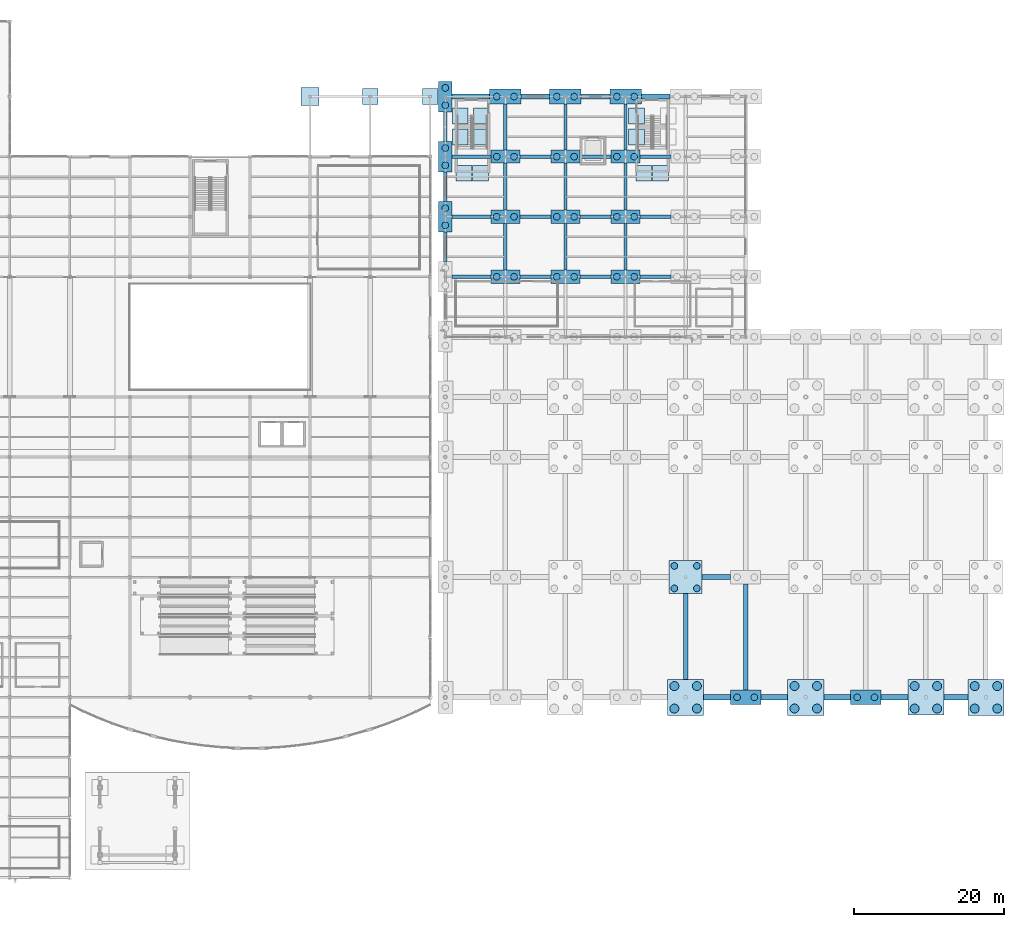
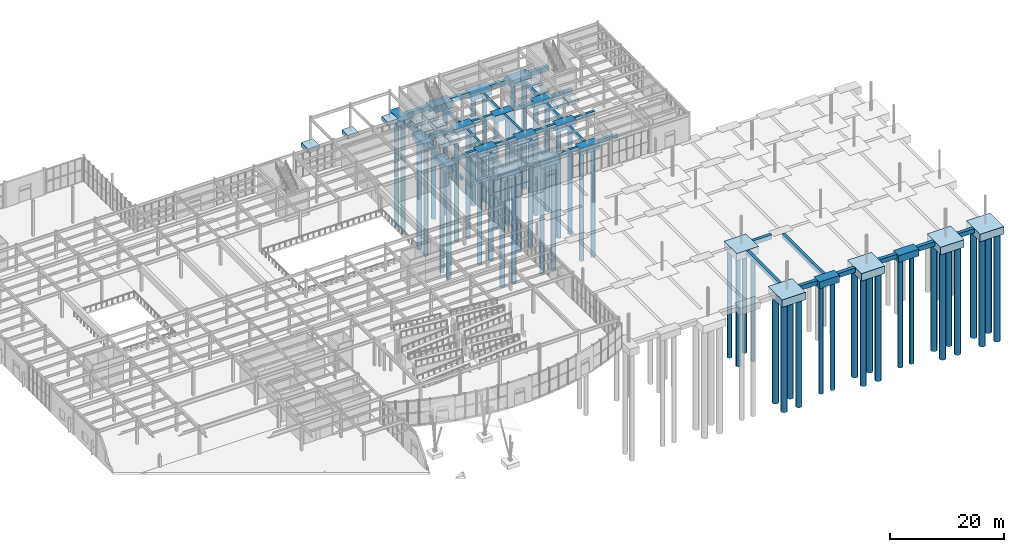
# One storey, part 2 of 82: 71 footings, 54 piles.
"""IFC4 building model written with IfcOpenShell, lengths in metres."""

from ifc_helpers import new_model, si_unit, direction, frame, origin, origin_2d, place, context, subcontext, project, spatial, rectangle, circle, extrude, material, material_profile, profile_set, type_object, element, save


model = new_model("IFC4")

# Units and contexts
model_context = context("Model", 3, precision=1e-05, world=origin(), true_north=direction((0.0, 1.0)))
body_context = subcontext(model_context, "Body", "Model", "MODEL_VIEW")
ifc_project = project(units=[si_unit("LENGTHUNIT", "METRE"), si_unit("AREAUNIT", "SQUARE_METRE"), si_unit("VOLUMEUNIT", "CUBIC_METRE"), si_unit("PLANEANGLEUNIT", "RADIAN"), si_unit("MASSUNIT", "GRAM", prefix="KILO")], contexts=[model_context])

# Site, building, storey
site_placement = place(None, origin())
site = spatial("IfcSite", under=ifc_project, at=site_placement, CompositionType="ELEMENT")
building_placement = place(site_placement, origin())
building = spatial("IfcBuilding", under=site, at=building_placement, Name="Drelvath Fold Interchange", CompositionType="ELEMENT")
storey_placement = place(building_placement, origin())
storey = spatial("IfcBuildingStorey", under=building, at=storey_placement, Name="L00", CompositionType="ELEMENT", Elevation=0.0)

# Piles
ifc_material_1 = material(Name="Concrete f'c 55 MPa (8000 psi)", Category="concrete")
ifc_material_profile_1 = material_profile(ifc_material_1, circle(Radius=0.60009765625, at=origin_2d()), Name="CAISSON D1200")
ifc_profile_set_1 = profile_set([ifc_material_profile_1], Name="Concrete f'c 55 MPa (8000 psi)")
pile_type_1 = type_object("IfcPileType", Name="CA-D1200", PredefinedType="BORED", material=ifc_profile_set_1)
for number, where, z_axis, x_axis, name in (
    (1, (132.5, 25.5, -1.5), (0.0, 0.0, -1.0), (1.0, 0.0, 0.0), "L00 rock-socketed caisson PL-L00-244"),
    (2, (135.5, 25.5, -1.5), (0.0, 0.0, -1.0), (1.0, 0.0, 0.0), "L00 rock-socketed caisson PL-L00-245"),
    (3, (135.5, 28.5, -1.5), (0.0, 0.0, -1.0), (1.0, 0.0, 0.0), "L00 rock-socketed caisson PL-L00-246"),
    (4, (132.5, 28.5, -1.5), (0.0, 0.0, -1.0), (1.0, 0.0, 0.0), "L00 rock-socketed caisson PL-L00-247"),
    (5, (148.5, 25.5, -1.5), (0.0, 0.0, -1.0), (1.0, 0.0, 0.0), "L00 rock-socketed caisson PL-L00-288"),
    (6, (151.5, 25.5, -1.5), (0.0, 0.0, -1.0), (1.0, 0.0, 0.0), "L00 rock-socketed caisson PL-L00-289"),
    (7, (151.5, 28.5, -1.5), (0.0, 0.0, -1.0), (1.0, 0.0, 0.0), "L00 rock-socketed caisson PL-L00-290"),
    (8, (148.5, 28.5, -1.5), (0.0, 0.0, -1.0), (1.0, 0.0, 0.0), "L00 rock-socketed caisson PL-L00-291"),
):
    element("IfcPile", number, at=place(storey_placement, frame(where, z_axis=z_axis, x_axis=x_axis)), inside=storey, type_object=pile_type_1, Name=name, PredefinedType="BORED", context=body_context, shape_type="SweptSolid", body=[
        extrude(circle(Radius=0.60009765625, at=origin_2d()), origin(), (0.0, 0.0, 1.0), 23.0),
    ])
for number, where, z_axis, x_axis, name in (
    (9, (164.5, 25.5, -1.52001953125), (0.0, 0.0, -1.0), (1.0, 0.0, 0.0), "L00 rock-socketed caisson PL-L00-316"),
    (10, (167.5, 25.5, -1.52001953125), (0.0, 0.0, -1.0), (1.0, 0.0, 0.0), "L00 rock-socketed caisson PL-L00-317"),
    (11, (167.5, 28.5, -1.52001953125), (0.0, 0.0, -1.0), (1.0, 0.0, 0.0), "L00 rock-socketed caisson PL-L00-318"),
    (12, (164.5, 28.5, -1.52001953125), (0.0, 0.0, -1.0), (1.0, 0.0, 0.0), "L00 rock-socketed caisson PL-L00-319"),
):
    element("IfcPile", number, at=place(storey_placement, frame(where, z_axis=z_axis, x_axis=x_axis)), inside=storey, type_object=pile_type_1, Name=name, PredefinedType="BORED", context=body_context, shape_type="SweptSolid", body=[
        extrude(circle(Radius=0.60009765625, at=origin_2d()), origin(), (0.0, 0.0, 1.0), 22.97998046875),
    ])
for number, where, z_axis, x_axis, name in (
    (13, (172.5, 25.5, -1.5), (0.0, 0.0, -1.0), (1.0, 0.0, 0.0), "L00 rock-socketed caisson PL-L00-334"),
    (14, (175.5, 25.5, -1.5), (0.0, 0.0, -1.0), (1.0, 0.0, 0.0), "L00 rock-socketed caisson PL-L00-335"),
    (15, (175.5, 28.5, -1.5), (0.0, 0.0, -1.0), (1.0, 0.0, 0.0), "L00 rock-socketed caisson PL-L00-336"),
    (16, (172.5, 28.5, -1.5), (0.0, 0.0, -1.0), (1.0, 0.0, 0.0), "L00 rock-socketed caisson PL-L00-337"),
):
    element("IfcPile", number, at=place(storey_placement, frame(where, z_axis=z_axis, x_axis=x_axis)), inside=storey, type_object=pile_type_1, Name=name, PredefinedType="BORED", context=body_context, shape_type="SweptSolid", body=[
        extrude(circle(Radius=0.60009765625, at=origin_2d()), origin(), (0.0, 0.0, 1.0), 23.0),
    ])
ifc_material_profile_2 = material_profile(ifc_material_1, circle(Radius=0.449951171875, at=origin_2d()), Name="CAISSON D900")
ifc_profile_set_2 = profile_set([ifc_material_profile_2], Name="Concrete f'c 55 MPa (8000 psi)")
pile_type_2 = type_object("IfcPileType", Name="CA-D900", PredefinedType="BORED", material=ifc_profile_set_2)
for number, where, z_axis, x_axis, name in (
    (17, (102.0, 89.85009765625, -1.3798828125), (0.0, 0.0, -1.0), (1.0, 0.0, 0.0), "L00 rock-socketed caisson PL-L00-176"),
    (18, (102.0, 92.14990234375, -1.3798828125), (0.0, 0.0, -1.0), (1.0, 0.0, 0.0), "L00 rock-socketed caisson PL-L00-177"),
    (19, (102.0, 97.85009765625, -1.3798828125), (0.0, 0.0, -1.0), (1.0, 0.0, 0.0), "L00 rock-socketed caisson PL-L00-178"),
    (20, (102.0, 100.14990234375, -1.3798828125), (0.0, 0.0, -1.0), (1.0, 0.0, 0.0), "L00 rock-socketed caisson PL-L00-179"),
    (21, (102.0, 105.85009765625, -1.3798828125), (0.0, 0.0, -1.0), (1.0, 0.0, 0.0), "L00 rock-socketed caisson PL-L00-180"),
    (22, (102.0, 108.14990234375, -1.3798828125), (0.0, 0.0, -1.0), (1.0, 0.0, 0.0), "L00 rock-socketed caisson PL-L00-181"),
):
    element("IfcPile", number, at=place(storey_placement, frame(where, z_axis=z_axis, x_axis=x_axis)), inside=storey, type_object=pile_type_2, Name=name, PredefinedType="BORED", context=body_context, shape_type="SweptSolid", body=[
        extrude(circle(Radius=0.449951171875, at=origin_2d()), origin(), (0.0, 0.0, 1.0), 23.1201171875),
    ])
for number, where, z_axis, x_axis, name in (
    (23, (108.85009765625, 83.0, -1.340087890625), (0.0, 0.0, -1.0), (1.0, 0.0, 0.0), "L00 rock-socketed caisson PL-L00-192"),
    (24, (111.14990234375, 83.0, -1.340087890625), (0.0, 0.0, -1.0), (1.0, 0.0, 0.0), "L00 rock-socketed caisson PL-L00-193"),
    (25, (108.85009765625, 91.0, -1.340087890625), (0.0, 0.0, -1.0), (1.0, 0.0, 0.0), "L00 rock-socketed caisson PL-L00-194"),
    (26, (111.14990234375, 91.0, -1.340087890625), (0.0, 0.0, -1.0), (1.0, 0.0, 0.0), "L00 rock-socketed caisson PL-L00-195"),
    (27, (108.85009765625, 99.0, -1.340087890625), (0.0, 0.0, -1.0), (1.0, 0.0, 0.0), "L00 rock-socketed caisson PL-L00-196"),
    (28, (111.14990234375, 99.0, -1.340087890625), (0.0, 0.0, -1.0), (1.0, 0.0, 0.0), "L00 rock-socketed caisson PL-L00-197"),
):
    element("IfcPile", number, at=place(storey_placement, frame(where, z_axis=z_axis, x_axis=x_axis)), inside=storey, type_object=pile_type_2, Name=name, PredefinedType="BORED", context=body_context, shape_type="SweptSolid", body=[
        extrude(circle(Radius=0.449951171875, at=origin_2d()), origin(), (0.0, 0.0, 1.0), 23.159912109375),
    ])
for number, where, z_axis, x_axis, name in (
    (29, (108.85009765625, 107.0, -1.419921875), (0.0, 0.0, -1.0), (1.0, 0.0, 0.0), "L00 rock-socketed caisson PL-L00-198"),
    (30, (111.14990234375, 107.0, -1.419921875), (0.0, 0.0, -1.0), (1.0, 0.0, 0.0), "L00 rock-socketed caisson PL-L00-199"),
):
    element("IfcPile", number, at=place(storey_placement, frame(where, z_axis=z_axis, x_axis=x_axis)), inside=storey, type_object=pile_type_2, Name=name, PredefinedType="BORED", context=body_context, shape_type="SweptSolid", body=[
        extrude(circle(Radius=0.449951171875, at=origin_2d()), origin(), (0.0, 0.0, 1.0), 23.080078125),
    ])
for number, where, z_axis, x_axis, name in (
    (31, (116.85009765625, 83.0, -1.340087890625), (0.0, 0.0, -1.0), (1.0, 0.0, 0.0), "L00 rock-socketed caisson PL-L00-218"),
    (32, (119.14990234375, 83.0, -1.340087890625), (0.0, 0.0, -1.0), (1.0, 0.0, 0.0), "L00 rock-socketed caisson PL-L00-219"),
    (33, (116.85009765625, 91.0, -1.340087890625), (0.0, 0.0, -1.0), (1.0, 0.0, 0.0), "L00 rock-socketed caisson PL-L00-220"),
    (34, (119.14990234375, 91.0, -1.340087890625), (0.0, 0.0, -1.0), (1.0, 0.0, 0.0), "L00 rock-socketed caisson PL-L00-221"),
    (35, (116.85009765625, 99.0, -1.340087890625), (0.0, 0.0, -1.0), (1.0, 0.0, 0.0), "L00 rock-socketed caisson PL-L00-222"),
    (36, (119.14990234375, 99.0, -1.340087890625), (0.0, 0.0, -1.0), (1.0, 0.0, 0.0), "L00 rock-socketed caisson PL-L00-223"),
):
    element("IfcPile", number, at=place(storey_placement, frame(where, z_axis=z_axis, x_axis=x_axis)), inside=storey, type_object=pile_type_2, Name=name, PredefinedType="BORED", context=body_context, shape_type="SweptSolid", body=[
        extrude(circle(Radius=0.449951171875, at=origin_2d()), origin(), (0.0, 0.0, 1.0), 23.159912109375),
    ])
for number, where, z_axis, x_axis, name in (
    (37, (116.85009765625, 107.0, -1.419921875), (0.0, 0.0, -1.0), (1.0, 0.0, 0.0), "L00 rock-socketed caisson PL-L00-224"),
    (38, (119.14990234375, 107.0, -1.419921875), (0.0, 0.0, -1.0), (1.0, 0.0, 0.0), "L00 rock-socketed caisson PL-L00-225"),
):
    element("IfcPile", number, at=place(storey_placement, frame(where, z_axis=z_axis, x_axis=x_axis)), inside=storey, type_object=pile_type_2, Name=name, PredefinedType="BORED", context=body_context, shape_type="SweptSolid", body=[
        extrude(circle(Radius=0.449951171875, at=origin_2d()), origin(), (0.0, 0.0, 1.0), 23.080078125),
    ])
for number, where, z_axis, x_axis, name in (
    (39, (124.85009765625, 83.0, -1.340087890625), (0.0, 0.0, -1.0), (1.0, 0.0, 0.0), "L00 rock-socketed caisson PL-L00-236"),
    (40, (127.14990234375, 83.0, -1.340087890625), (0.0, 0.0, -1.0), (1.0, 0.0, 0.0), "L00 rock-socketed caisson PL-L00-237"),
    (41, (124.85009765625, 91.0, -1.340087890625), (0.0, 0.0, -1.0), (1.0, 0.0, 0.0), "L00 rock-socketed caisson PL-L00-238"),
    (42, (127.14990234375, 91.0, -1.340087890625), (0.0, 0.0, -1.0), (1.0, 0.0, 0.0), "L00 rock-socketed caisson PL-L00-239"),
    (43, (124.85009765625, 99.0, -1.340087890625), (0.0, 0.0, -1.0), (1.0, 0.0, 0.0), "L00 rock-socketed caisson PL-L00-240"),
    (44, (127.14990234375, 99.0, -1.340087890625), (0.0, 0.0, -1.0), (1.0, 0.0, 0.0), "L00 rock-socketed caisson PL-L00-241"),
):
    element("IfcPile", number, at=place(storey_placement, frame(where, z_axis=z_axis, x_axis=x_axis)), inside=storey, type_object=pile_type_2, Name=name, PredefinedType="BORED", context=body_context, shape_type="SweptSolid", body=[
        extrude(circle(Radius=0.449951171875, at=origin_2d()), origin(), (0.0, 0.0, 1.0), 23.159912109375),
    ])
for number, where, z_axis, x_axis, name in (
    (45, (124.85009765625, 107.0, -1.419921875), (0.0, 0.0, -1.0), (1.0, 0.0, 0.0), "L00 rock-socketed caisson PL-L00-242"),
    (46, (127.14990234375, 107.0, -1.419921875), (0.0, 0.0, -1.0), (1.0, 0.0, 0.0), "L00 rock-socketed caisson PL-L00-243"),
):
    element("IfcPile", number, at=place(storey_placement, frame(where, z_axis=z_axis, x_axis=x_axis)), inside=storey, type_object=pile_type_2, Name=name, PredefinedType="BORED", context=body_context, shape_type="SweptSolid", body=[
        extrude(circle(Radius=0.449951171875, at=origin_2d()), origin(), (0.0, 0.0, 1.0), 23.080078125),
    ])
for number, where, z_axis, x_axis, name in (
    (47, (132.5, 41.5, -1.4599609375), (0.0, 0.0, -1.0), (1.0, 0.0, 0.0), "L00 rock-socketed caisson PL-L00-248"),
    (48, (135.5, 41.5, -1.4599609375), (0.0, 0.0, -1.0), (1.0, 0.0, 0.0), "L00 rock-socketed caisson PL-L00-249"),
    (49, (135.5, 44.5, -1.4599609375), (0.0, 0.0, -1.0), (1.0, 0.0, 0.0), "L00 rock-socketed caisson PL-L00-250"),
    (50, (132.5, 44.5, -1.4599609375), (0.0, 0.0, -1.0), (1.0, 0.0, 0.0), "L00 rock-socketed caisson PL-L00-251"),
):
    element("IfcPile", number, at=place(storey_placement, frame(where, z_axis=z_axis, x_axis=x_axis)), inside=storey, type_object=pile_type_2, Name=name, PredefinedType="BORED", context=body_context, shape_type="SweptSolid", body=[
        extrude(circle(Radius=0.449951171875, at=origin_2d()), origin(), (0.0, 0.0, 1.0), 23.0400390625),
    ])
for number, where, z_axis, x_axis, name in (
    (51, (140.85009765625, 27.0, -1.360107421875), (0.0, 0.0, -1.0), (1.0, 0.0, 0.0), "L00 rock-socketed caisson PL-L00-270"),
    (52, (143.14990234375, 27.0, -1.360107421875), (0.0, 0.0, -1.0), (1.0, 0.0, 0.0), "L00 rock-socketed caisson PL-L00-271"),
    (53, (156.85009765625, 27.0, -1.360107421875), (0.0, 0.0, -1.0), (1.0, 0.0, 0.0), "L00 rock-socketed caisson PL-L00-306"),
    (54, (159.14990234375, 27.0, -1.360107421875), (0.0, 0.0, -1.0), (1.0, 0.0, 0.0), "L00 rock-socketed caisson PL-L00-307"),
):
    element("IfcPile", number, at=place(storey_placement, frame(where, z_axis=z_axis, x_axis=x_axis)), inside=storey, type_object=pile_type_2, Name=name, PredefinedType="BORED", context=body_context, shape_type="SweptSolid", body=[
        extrude(circle(Radius=0.449951171875, at=origin_2d()), origin(), (0.0, 0.0, 1.0), 23.139892578125),
    ])

# Footings
ifc_material_2 = material(Name="Concrete f'c 45 MPa (6500 psi)", Category="concrete")
footing_type_1 = type_object("IfcFootingType", Name="GB-450x740", PredefinedType="FOOTING_BEAM", material=ifc_material_2)
for number, where, z_axis, x_axis, name in (
    (55, (102.0, 87.0, -0.740234375), (0.0, 0.0, 1.0), (1.0, 0.0, 0.0), "Continuous grade beam FT-GBY-071"),
    (56, (102.0, 95.0, -0.740234375), (0.0, 0.0, 1.0), (1.0, 0.0, 0.0), "Continuous grade beam FT-GBY-072"),
    (57, (102.0, 103.0, -0.740234375), (0.0, 0.0, 1.0), (1.0, 0.0, 0.0), "Continuous grade beam FT-GBY-073"),
):
    element("IfcFooting", number, at=place(storey_placement, frame(where, z_axis=z_axis, x_axis=x_axis)), inside=storey, type_object=footing_type_1, Name=name, PredefinedType="FOOTING_BEAM", context=body_context, shape_type="SweptSolid", body=[
        extrude(rectangle(XDim=0.449951171875, YDim=3.949951171875, at=origin_2d()), origin(), (0.0, 0.0, 1.0), 0.739990234375),
    ])
for number, where, z_axis, x_axis, name in (
    (58, (110.0, 87.0, -0.740234375), (0.0, 0.0, 1.0), (1.0, 0.0, 0.0), "Continuous grade beam FT-GBY-079"),
    (59, (110.0, 95.0, -0.740234375), (0.0, 0.0, 1.0), (1.0, 0.0, 0.0), "Continuous grade beam FT-GBY-080"),
):
    element("IfcFooting", number, at=place(storey_placement, frame(where, z_axis=z_axis, x_axis=x_axis)), inside=storey, type_object=footing_type_1, Name=name, PredefinedType="FOOTING_BEAM", context=body_context, shape_type="SweptSolid", body=[
        extrude(rectangle(XDim=0.449951171875, YDim=6.25, at=origin_2d()), origin(), (0.0, 0.0, 1.0), 0.739990234375),
    ])
footing_1_placement = place(storey_placement, frame((110.0, 102.93798828125, -0.740234375), z_axis=(0.0, 0.0, 1.0), x_axis=(1.0, 0.0, 0.0)))
element("IfcFooting", 60, at=footing_1_placement, inside=storey, type_object=footing_type_1, Name="Continuous grade beam FT-GBY-081", PredefinedType="FOOTING_BEAM", context=body_context, shape_type="SweptSolid", body=[
    extrude(rectangle(XDim=0.449951171875, YDim=6.125, at=origin_2d()), origin(), (0.0, 0.0, 1.0), 0.739990234375),
])
for number, where, z_axis, x_axis, name in (
    (61, (118.0, 87.0, -0.740234375), (0.0, 0.0, 1.0), (1.0, 0.0, 0.0), "Continuous grade beam FT-GBY-087"),
    (62, (118.0, 95.0, -0.740234375), (0.0, 0.0, 1.0), (1.0, 0.0, 0.0), "Continuous grade beam FT-GBY-088"),
):
    element("IfcFooting", number, at=place(storey_placement, frame(where, z_axis=z_axis, x_axis=x_axis)), inside=storey, type_object=footing_type_1, Name=name, PredefinedType="FOOTING_BEAM", context=body_context, shape_type="SweptSolid", body=[
        extrude(rectangle(XDim=0.449951171875, YDim=6.25, at=origin_2d()), origin(), (0.0, 0.0, 1.0), 0.739990234375),
    ])
footing_2_placement = place(storey_placement, frame((118.0, 102.93798828125, -0.740234375), z_axis=(0.0, 0.0, 1.0), x_axis=(1.0, 0.0, 0.0)))
element("IfcFooting", 63, at=footing_2_placement, inside=storey, type_object=footing_type_1, Name="Continuous grade beam FT-GBY-089", PredefinedType="FOOTING_BEAM", context=body_context, shape_type="SweptSolid", body=[
    extrude(rectangle(XDim=0.449951171875, YDim=6.125, at=origin_2d()), origin(), (0.0, 0.0, 1.0), 0.739990234375),
])
for number, where, z_axis, x_axis, name in (
    (64, (126.0, 87.0, -0.740234375), (0.0, 0.0, 1.0), (1.0, 0.0, 0.0), "Continuous grade beam FT-GBY-095"),
    (65, (126.0, 95.0, -0.740234375), (0.0, 0.0, 1.0), (1.0, 0.0, 0.0), "Continuous grade beam FT-GBY-096"),
):
    element("IfcFooting", number, at=place(storey_placement, frame(where, z_axis=z_axis, x_axis=x_axis)), inside=storey, type_object=footing_type_1, Name=name, PredefinedType="FOOTING_BEAM", context=body_context, shape_type="SweptSolid", body=[
        extrude(rectangle(XDim=0.449951171875, YDim=6.25, at=origin_2d()), origin(), (0.0, 0.0, 1.0), 0.739990234375),
    ])
footing_3_placement = place(storey_placement, frame((126.0, 102.93798828125, -0.740234375), z_axis=(0.0, 0.0, 1.0), x_axis=(1.0, 0.0, 0.0)))
element("IfcFooting", 66, at=footing_3_placement, inside=storey, type_object=footing_type_1, Name="Continuous grade beam FT-GBY-097", PredefinedType="FOOTING_BEAM", context=body_context, shape_type="SweptSolid", body=[
    extrude(rectangle(XDim=0.449951171875, YDim=6.125, at=origin_2d()), origin(), (0.0, 0.0, 1.0), 0.739990234375),
])
footing_type_2 = type_object("IfcFootingType", Name="GB-500x780", PredefinedType="FOOTING_BEAM", material=ifc_material_2)
footing_4_placement = place(storey_placement, frame((105.488037109375, 83.0, -0.77978515625), z_axis=(0.0, 0.0, 1.0), x_axis=(1.0, 0.0, 0.0)))
element("IfcFooting", 67, at=footing_4_placement, inside=storey, type_object=footing_type_2, Name="Continuous grade beam FT-GBX-046", PredefinedType="FOOTING_BEAM", context=body_context, shape_type="SweptSolid", body=[
    extrude(rectangle(XDim=5.175048828125, YDim=0.5, at=origin_2d()), origin(), (0.0, 0.0, 1.0), 0.780029296875),
])
for number, where, z_axis, x_axis, name in (
    (68, (114.0, 83.0, -0.77978515625), (0.0, 0.0, 1.0), (1.0, 0.0, 0.0), "Continuous grade beam FT-GBX-047"),
    (69, (122.0, 83.0, -0.77978515625), (0.0, 0.0, 1.0), (1.0, 0.0, 0.0), "Continuous grade beam FT-GBX-048"),
    (70, (130.0, 83.0, -0.77978515625), (0.0, 0.0, 1.0), (1.0, 0.0, 0.0), "Continuous grade beam FT-GBX-049"),
):
    element("IfcFooting", number, at=place(storey_placement, frame(where, z_axis=z_axis, x_axis=x_axis)), inside=storey, type_object=footing_type_2, Name=name, PredefinedType="FOOTING_BEAM", context=body_context, shape_type="SweptSolid", body=[
        extrude(rectangle(XDim=4.14990234375, YDim=0.5, at=origin_2d()), origin(), (0.0, 0.0, 1.0), 0.780029296875),
    ])
footing_5_placement = place(storey_placement, frame((105.488037109375, 91.0, -0.77978515625), z_axis=(0.0, 0.0, 1.0), x_axis=(1.0, 0.0, 0.0)))
element("IfcFooting", 71, at=footing_5_placement, inside=storey, type_object=footing_type_2, Name="Continuous grade beam FT-GBX-051", PredefinedType="FOOTING_BEAM", context=body_context, shape_type="SweptSolid", body=[
    extrude(rectangle(XDim=5.175048828125, YDim=0.5, at=origin_2d()), origin(), (0.0, 0.0, 1.0), 0.780029296875),
])
for number, where, z_axis, x_axis, name in (
    (72, (114.0, 91.0, -0.77978515625), (0.0, 0.0, 1.0), (1.0, 0.0, 0.0), "Continuous grade beam FT-GBX-052"),
    (73, (122.0, 91.0, -0.77978515625), (0.0, 0.0, 1.0), (1.0, 0.0, 0.0), "Continuous grade beam FT-GBX-053"),
    (74, (130.0, 91.0, -0.77978515625), (0.0, 0.0, 1.0), (1.0, 0.0, 0.0), "Continuous grade beam FT-GBX-054"),
):
    element("IfcFooting", number, at=place(storey_placement, frame(where, z_axis=z_axis, x_axis=x_axis)), inside=storey, type_object=footing_type_2, Name=name, PredefinedType="FOOTING_BEAM", context=body_context, shape_type="SweptSolid", body=[
        extrude(rectangle(XDim=4.14990234375, YDim=0.5, at=origin_2d()), origin(), (0.0, 0.0, 1.0), 0.780029296875),
    ])
footing_6_placement = place(storey_placement, frame((105.488037109375, 99.0, -0.77978515625), z_axis=(0.0, 0.0, 1.0), x_axis=(1.0, 0.0, 0.0)))
element("IfcFooting", 75, at=footing_6_placement, inside=storey, type_object=footing_type_2, Name="Continuous grade beam FT-GBX-056", PredefinedType="FOOTING_BEAM", context=body_context, shape_type="SweptSolid", body=[
    extrude(rectangle(XDim=5.175048828125, YDim=0.5, at=origin_2d()), origin(), (0.0, 0.0, 1.0), 0.780029296875),
])
for number, where, z_axis, x_axis, name in (
    (76, (114.0, 99.0, -0.77978515625), (0.0, 0.0, 1.0), (1.0, 0.0, 0.0), "Continuous grade beam FT-GBX-057"),
    (77, (122.0, 99.0, -0.77978515625), (0.0, 0.0, 1.0), (1.0, 0.0, 0.0), "Continuous grade beam FT-GBX-058"),
    (78, (130.0, 99.0, -0.77978515625), (0.0, 0.0, 1.0), (1.0, 0.0, 0.0), "Continuous grade beam FT-GBX-059"),
):
    element("IfcFooting", number, at=place(storey_placement, frame(where, z_axis=z_axis, x_axis=x_axis)), inside=storey, type_object=footing_type_2, Name=name, PredefinedType="FOOTING_BEAM", context=body_context, shape_type="SweptSolid", body=[
        extrude(rectangle(XDim=4.14990234375, YDim=0.5, at=origin_2d()), origin(), (0.0, 0.0, 1.0), 0.780029296875),
    ])
footing_type_3 = type_object("IfcFootingType", Name="GB-600x860", PredefinedType="FOOTING_BEAM", material=ifc_material_2)
footing_7_placement = place(storey_placement, frame((134.0, 35.10009765625, -0.85986328125), z_axis=(0.0, 0.0, 1.0), x_axis=(1.0, 0.0, 0.0)))
element("IfcFooting", 79, at=footing_7_placement, inside=storey, type_object=footing_type_3, Name="Continuous grade beam FT-GBY-098", PredefinedType="FOOTING_BEAM", context=body_context, shape_type="SweptSolid", body=[
    extrude(rectangle(XDim=0.60009765625, YDim=11.39990234375, at=origin_2d()), origin(), (0.0, 0.0, 1.0), 0.860107421875),
])
footing_8_placement = place(storey_placement, frame((142.0, 35.02490234375, -0.85986328125), z_axis=(0.0, 0.0, 1.0), x_axis=(1.0, 0.0, 0.0)))
element("IfcFooting", 80, at=footing_8_placement, inside=storey, type_object=footing_type_3, Name="Continuous grade beam FT-GBY-106", PredefinedType="FOOTING_BEAM", context=body_context, shape_type="SweptSolid", body=[
    extrude(rectangle(XDim=0.60009765625, YDim=14.14990234375, at=origin_2d()), origin(), (0.0, 0.0, 1.0), 0.860107421875),
])
footing_type_4 = type_object("IfcFootingType", Name="GB-650x900", PredefinedType="FOOTING_BEAM", material=ifc_material_2)
footing_9_placement = place(storey_placement, frame((138.10009765625, 43.0, -0.89990234375), z_axis=(0.0, 0.0, 1.0), x_axis=(1.0, 0.0, 0.0)))
element("IfcFooting", 81, at=footing_9_placement, inside=storey, type_object=footing_type_4, Name="Continuous grade beam FT-GBX-014", PredefinedType="FOOTING_BEAM", context=body_context, shape_type="SweptSolid", body=[
    extrude(rectangle(XDim=3.800048828125, YDim=0.64990234375, at=origin_2d()), origin(), (0.0, 0.0, 1.0), 0.89990234375),
])
footing_type_5 = type_object("IfcFootingType", Name="GB-700x950", PredefinedType="FOOTING_BEAM", material=ifc_material_2)
for number, where, z_axis, x_axis, name in (
    (82, (138.175048828125, 27.0, -0.9501953125), (0.0, 0.0, 1.0), (1.0, 0.0, 0.0), "Continuous grade beam FT-GBX-005"),
    (83, (145.824951171875, 27.0, -0.9501953125), (0.0, 0.0, 1.0), (1.0, 0.0, 0.0), "Continuous grade beam FT-GBX-006"),
    (84, (154.175048828125, 27.0, -0.9501953125), (0.0, 0.0, 1.0), (1.0, 0.0, 0.0), "Continuous grade beam FT-GBX-007"),
):
    element("IfcFooting", number, at=place(storey_placement, frame(where, z_axis=z_axis, x_axis=x_axis)), inside=storey, type_object=footing_type_5, Name=name, PredefinedType="FOOTING_BEAM", context=body_context, shape_type="SweptSolid", body=[
        extrude(rectangle(XDim=3.550048828125, YDim=0.699951171875, at=origin_2d()), origin(), (0.0, 0.0, 1.0), 0.949951171875),
    ])
footing_10_placement = place(storey_placement, frame((161.8349609375, 27.0, -0.9501953125), z_axis=(0.0, 0.0, 1.0), x_axis=(1.0, 0.0, 0.0)))
element("IfcFooting", 85, at=footing_10_placement, inside=storey, type_object=footing_type_5, Name="Continuous grade beam FT-GBX-008", PredefinedType="FOOTING_BEAM", context=body_context, shape_type="SweptSolid", body=[
    extrude(rectangle(XDim=3.570068359375, YDim=0.699951171875, at=origin_2d()), origin(), (0.0, 0.0, 1.0), 0.949951171875),
])
footing_11_placement = place(storey_placement, frame((169.989990234375, 27.0, -0.9501953125), z_axis=(0.0, 0.0, 1.0), x_axis=(1.0, 0.0, 0.0)))
element("IfcFooting", 86, at=footing_11_placement, inside=storey, type_object=footing_type_5, Name="Continuous grade beam FT-GBX-009", PredefinedType="FOOTING_BEAM", context=body_context, shape_type="SweptSolid", body=[
    extrude(rectangle(XDim=3.219970703125, YDim=0.699951171875, at=origin_2d()), origin(), (0.0, 0.0, 1.0), 0.949951171875),
])
footing_12_placement = place(storey_placement, frame((105.39990234375, 107.0, -0.9501953125), z_axis=(0.0, 0.0, 1.0), x_axis=(1.0, 0.0, 0.0)))
element("IfcFooting", 87, at=footing_12_placement, inside=storey, type_object=footing_type_5, Name="Continuous grade beam FT-GBX-061", PredefinedType="FOOTING_BEAM", context=body_context, shape_type="SweptSolid", body=[
    extrude(rectangle(XDim=5.0, YDim=0.699951171875, at=origin_2d()), origin(), (0.0, 0.0, 1.0), 0.949951171875),
])
for number, where, z_axis, x_axis, name in (
    (88, (114.0, 107.0, -0.9501953125), (0.0, 0.0, 1.0), (1.0, 0.0, 0.0), "Continuous grade beam FT-GBX-062"),
    (89, (122.0, 107.0, -0.9501953125), (0.0, 0.0, 1.0), (1.0, 0.0, 0.0), "Continuous grade beam FT-GBX-063"),
    (90, (130.0, 107.0, -0.9501953125), (0.0, 0.0, 1.0), (1.0, 0.0, 0.0), "Continuous grade beam FT-GBX-064"),
):
    element("IfcFooting", number, at=place(storey_placement, frame(where, z_axis=z_axis, x_axis=x_axis)), inside=storey, type_object=footing_type_5, Name=name, PredefinedType="FOOTING_BEAM", context=body_context, shape_type="SweptSolid", body=[
        extrude(rectangle(XDim=3.800048828125, YDim=0.699951171875, at=origin_2d()), origin(), (0.0, 0.0, 1.0), 0.949951171875),
    ])
footing_type_6 = type_object("IfcFootingType", Name="PC-02", PredefinedType="PILE_CAP", material=ifc_material_2)
for number, where, z_axis, x_axis, name in (
    (91, (134.0, 27.0, -1.60009765625), (0.0, 0.0, 1.0), (1.0, 0.0, 0.0), "Pile cap FT-CAP-037 (PC-02)"),
    (92, (150.0, 27.0, -1.60009765625), (0.0, 0.0, 1.0), (1.0, 0.0, 0.0), "Pile cap FT-CAP-055 (PC-02)"),
    (93, (174.0, 27.0, -1.60009765625), (0.0, 0.0, 1.0), (1.0, 0.0, 0.0), "Pile cap FT-CAP-070 (PC-02)"),
):
    element("IfcFooting", number, at=place(storey_placement, frame(where, z_axis=z_axis, x_axis=x_axis)), inside=storey, type_object=footing_type_6, Name=name, PredefinedType="PILE_CAP", context=body_context, shape_type="SweptSolid", body=[
        extrude(rectangle(XDim=4.800048828125, YDim=4.800048828125, at=origin_2d()), origin(), (0.0, 0.0, 1.0), 1.60009765625),
    ])
footing_type_7 = type_object("IfcFootingType", Name="PC-03", PredefinedType="PILE_CAP", material=ifc_material_2)
for number, where, z_axis, x_axis, name in (
    (94, (110.0, 107.0, -1.52001953125), (0.0, 0.0, 1.0), (1.0, 0.0, 0.0), "Pile cap FT-CAP-018 (PC-03)"),
    (95, (118.0, 107.0, -1.52001953125), (0.0, 0.0, 1.0), (1.0, 0.0, 0.0), "Pile cap FT-CAP-027 (PC-03)"),
    (96, (126.0, 107.0, -1.52001953125), (0.0, 0.0, 1.0), (1.0, 0.0, 0.0), "Pile cap FT-CAP-036 (PC-03)"),
):
    element("IfcFooting", number, at=place(storey_placement, frame(where, z_axis=z_axis, x_axis=x_axis)), inside=storey, type_object=footing_type_7, Name=name, PredefinedType="PILE_CAP", context=body_context, shape_type="SweptSolid", body=[
        extrude(rectangle(XDim=4.199951171875, YDim=2.0, at=origin_2d()), origin(), (0.0, 0.0, 1.0), 1.52001953125),
    ])
footing_type_8 = type_object("IfcFootingType", Name="PC-04", PredefinedType="PILE_CAP", material=ifc_material_2)
footing_13_placement = place(storey_placement, frame((134.0, 43.0, -1.56005859375), z_axis=(0.0, 0.0, 1.0), x_axis=(1.0, 0.0, 0.0)))
element("IfcFooting", 97, at=footing_13_placement, inside=storey, type_object=footing_type_8, Name="Pile cap FT-CAP-038 (PC-04)", PredefinedType="PILE_CAP", context=body_context, shape_type="SweptSolid", body=[
    extrude(rectangle(XDim=4.39990234375, YDim=4.39990234375, at=origin_2d()), origin(), (0.0, 0.0, 1.0), 1.56005859375),
])
footing_type_9 = type_object("IfcFootingType", Name="PC-05", PredefinedType="PILE_CAP", material=ifc_material_2)
for number, where, z_axis, x_axis, name in (
    (98, (102.0, 91.0, -1.47998046875), (0.0, 0.0, 1.0), (1.0, 0.0, 0.0), "Pile cap FT-CAP-007 (PC-05)"),
    (99, (102.0, 99.0, -1.47998046875), (0.0, 0.0, 1.0), (1.0, 0.0, 0.0), "Pile cap FT-CAP-008 (PC-05)"),
    (100, (102.0, 107.0, -1.47998046875), (0.0, 0.0, 1.0), (1.0, 0.0, 0.0), "Pile cap FT-CAP-009 (PC-05)"),
):
    element("IfcFooting", number, at=place(storey_placement, frame(where, z_axis=z_axis, x_axis=x_axis)), inside=storey, type_object=footing_type_9, Name=name, PredefinedType="PILE_CAP", context=body_context, shape_type="SweptSolid", body=[
        extrude(rectangle(XDim=1.800048828125, YDim=4.050048828125, at=origin_2d()), origin(), (0.0, 0.0, 1.0), 1.47998046875),
    ])
footing_type_10 = type_object("IfcFootingType", Name="PC-07", PredefinedType="PILE_CAP", material=ifc_material_2)
for number, where, z_axis, x_axis, name in (
    (101, (110.0, 83.0, -1.43994140625), (0.0, 0.0, 1.0), (1.0, 0.0, 0.0), "Pile cap FT-CAP-015 (PC-07)"),
    (102, (110.0, 91.0, -1.43994140625), (0.0, 0.0, 1.0), (1.0, 0.0, 0.0), "Pile cap FT-CAP-016 (PC-07)"),
    (103, (110.0, 99.0, -1.43994140625), (0.0, 0.0, 1.0), (1.0, 0.0, 0.0), "Pile cap FT-CAP-017 (PC-07)"),
    (104, (118.0, 83.0, -1.43994140625), (0.0, 0.0, 1.0), (1.0, 0.0, 0.0), "Pile cap FT-CAP-024 (PC-07)"),
    (105, (118.0, 91.0, -1.43994140625), (0.0, 0.0, 1.0), (1.0, 0.0, 0.0), "Pile cap FT-CAP-025 (PC-07)"),
    (106, (118.0, 99.0, -1.43994140625), (0.0, 0.0, 1.0), (1.0, 0.0, 0.0), "Pile cap FT-CAP-026 (PC-07)"),
    (107, (126.0, 83.0, -1.43994140625), (0.0, 0.0, 1.0), (1.0, 0.0, 0.0), "Pile cap FT-CAP-033 (PC-07)"),
    (108, (126.0, 91.0, -1.43994140625), (0.0, 0.0, 1.0), (1.0, 0.0, 0.0), "Pile cap FT-CAP-034 (PC-07)"),
    (109, (126.0, 99.0, -1.43994140625), (0.0, 0.0, 1.0), (1.0, 0.0, 0.0), "Pile cap FT-CAP-035 (PC-07)"),
):
    element("IfcFooting", number, at=place(storey_placement, frame(where, z_axis=z_axis, x_axis=x_axis)), inside=storey, type_object=footing_type_10, Name=name, PredefinedType="PILE_CAP", context=body_context, shape_type="SweptSolid", body=[
        extrude(rectangle(XDim=3.85009765625, YDim=1.75, at=origin_2d()), origin(), (0.0, 0.0, 1.0), 1.43994140625),
    ])
footing_type_11 = type_object("IfcFootingType", Name="PC-08", PredefinedType="PILE_CAP", material=ifc_material_2)
for number, where, z_axis, x_axis, name in (
    (110, (142.0, 27.0, -1.4599609375), (0.0, 0.0, 1.0), (1.0, 0.0, 0.0), "Pile cap FT-CAP-046 (PC-08)"),
    (111, (158.0, 27.0, -1.4599609375), (0.0, 0.0, 1.0), (1.0, 0.0, 0.0), "Pile cap FT-CAP-060 (PC-08)"),
):
    element("IfcFooting", number, at=place(storey_placement, frame(where, z_axis=z_axis, x_axis=x_axis)), inside=storey, type_object=footing_type_11, Name=name, PredefinedType="PILE_CAP", context=body_context, shape_type="SweptSolid", body=[
        extrude(rectangle(XDim=4.10009765625, YDim=1.89990234375, at=origin_2d()), origin(), (0.0, 0.0, 1.0), 1.4599609375),
    ])
footing_type_12 = type_object("IfcFootingType", Name="PC-12", PredefinedType="PILE_CAP", material=ifc_material_2)
footing_14_placement = place(storey_placement, frame((166.0, 27.0, -1.6201171875), z_axis=(0.0, 0.0, 1.0), x_axis=(1.0, 0.0, 0.0)))
element("IfcFooting", 112, at=footing_14_placement, inside=storey, type_object=footing_type_12, Name="Pile cap FT-CAP-065 (PC-12)", PredefinedType="PILE_CAP", context=body_context, shape_type="SweptSolid", body=[
    extrude(rectangle(XDim=4.760009765625, YDim=4.760009765625, at=origin_2d()), origin(), (0.0, 0.0, 1.0), 1.6201171875),
])
footing_type_13 = type_object("IfcFootingType", Name="PF-01", PredefinedType="PAD_FOOTING", material=ifc_material_2)
footing_15_placement = place(storey_placement, frame((84.0, 107.0, -0.89990234375), z_axis=(0.0, 0.0, 1.0), x_axis=(1.0, 0.0, 0.0)))
element("IfcFooting", 113, at=footing_15_placement, inside=storey, type_object=footing_type_13, Name="Entrance canopy pad footing FT-PAD-05", PredefinedType="PAD_FOOTING", context=body_context, shape_type="SweptSolid", body=[
    extrude(rectangle(XDim=2.39990234375, YDim=2.39990234375, at=origin_2d()), origin(), (0.0, 0.0, 1.0), 0.89990234375),
])
footing_type_14 = type_object("IfcFootingType", Name="PF-02", PredefinedType="PAD_FOOTING", material=ifc_material_2)
for number, where, z_axis, x_axis, name in (
    (114, (104.5, 96.800048828125, -1.1298828125), (0.0, 0.0, 1.0), (1.0, 0.0, 0.0), "Core shear wall pad footing FT-PAD-C01"),
    (115, (106.699951171875, 96.800048828125, -1.1298828125), (0.0, 0.0, 1.0), (1.0, 0.0, 0.0), "Core shear wall pad footing FT-PAD-C02"),
    (116, (104.0, 101.60009765625, -1.1298828125), (0.0, 0.0, 1.0), (1.0, 0.0, 0.0), "Core shear wall pad footing FT-PAD-C03"),
    (117, (104.0, 104.39990234375, -1.1298828125), (0.0, 0.0, 1.0), (1.0, 0.0, 0.0), "Core shear wall pad footing FT-PAD-C04"),
    (118, (106.800048828125, 101.60009765625, -1.1298828125), (0.0, 0.0, 1.0), (1.0, 0.0, 0.0), "Core shear wall pad footing FT-PAD-C05"),
    (119, (106.800048828125, 104.39990234375, -1.1298828125), (0.0, 0.0, 1.0), (1.0, 0.0, 0.0), "Core shear wall pad footing FT-PAD-C06"),
    (120, (128.449951171875, 96.800048828125, -1.1298828125), (0.0, 0.0, 1.0), (1.0, 0.0, 0.0), "Core shear wall pad footing FT-PAD-C07"),
    (121, (130.64990234375, 96.800048828125, -1.1298828125), (0.0, 0.0, 1.0), (1.0, 0.0, 0.0), "Core shear wall pad footing FT-PAD-C08"),
    (122, (127.449951171875, 101.60009765625, -1.1298828125), (0.0, 0.0, 1.0), (1.0, 0.0, 0.0), "Core shear wall pad footing FT-PAD-C09"),
    (123, (127.449951171875, 104.39990234375, -1.1298828125), (0.0, 0.0, 1.0), (1.0, 0.0, 0.0), "Core shear wall pad footing FT-PAD-C10"),
    (124, (92.0, 107.0, -0.83984375), (0.0, 0.0, 1.0), (1.0, 0.0, 0.0), "Entrance canopy pad footing FT-PAD-06"),
    (125, (100.0, 107.0, -0.83984375), (0.0, 0.0, 1.0), (1.0, 0.0, 0.0), "Entrance canopy pad footing FT-PAD-07"),
):
    element("IfcFooting", number, at=place(storey_placement, frame(where, z_axis=z_axis, x_axis=x_axis)), inside=storey, type_object=footing_type_14, Name=name, PredefinedType="PAD_FOOTING", context=body_context, shape_type="SweptSolid", body=[
        extrude(rectangle(XDim=2.10009765625, YDim=2.10009765625, at=origin_2d()), origin(), (0.0, 0.0, 1.0), 0.840087890625),
    ])

save(model, "model.ifc")
